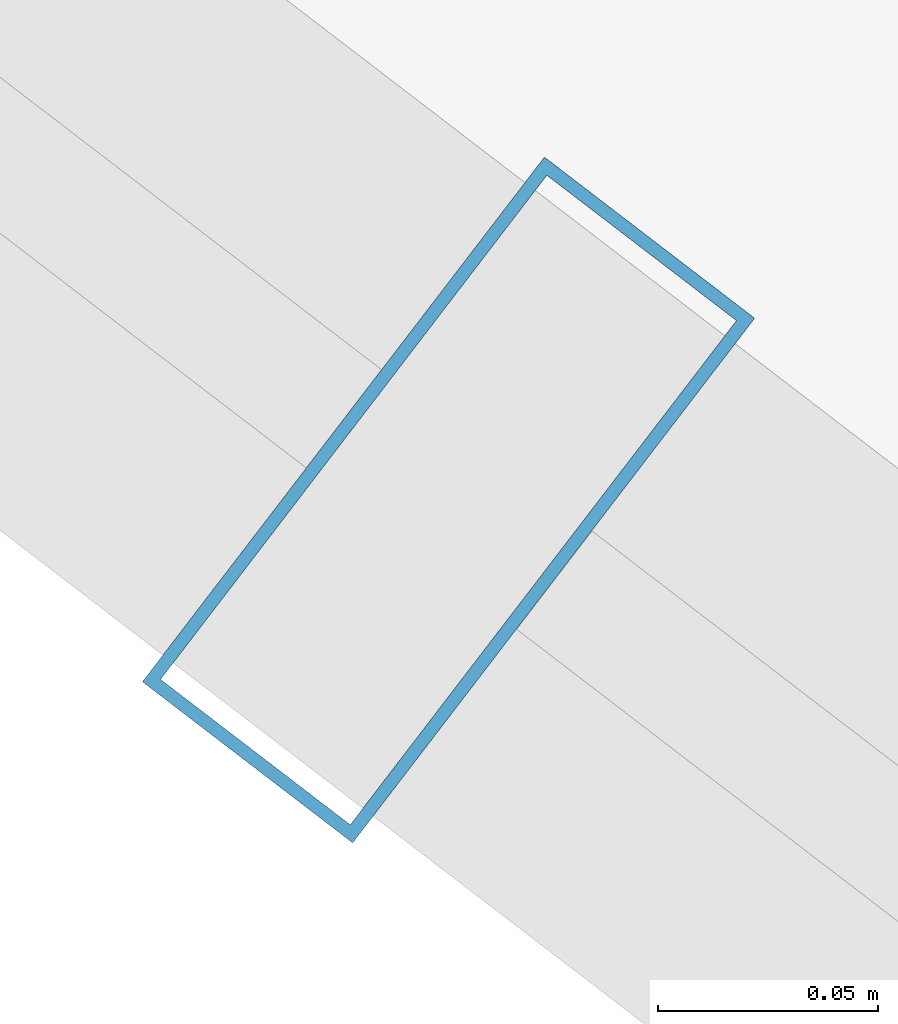
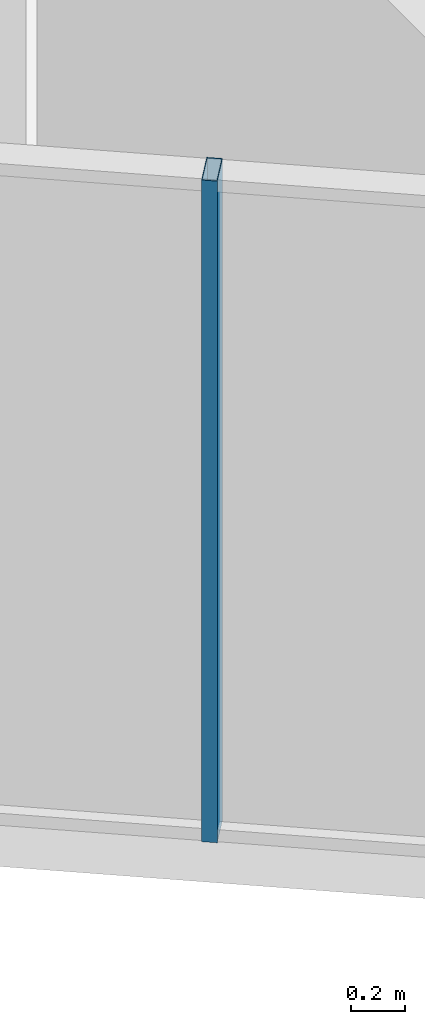
# One storey, part 2 of 31: 1 member, 1 element without a shape of its own.
"""IFC4 building model written with IfcOpenShell, lengths in metres."""

from ifc_helpers import new_model, si_unit, direction, frame, origin, origin_2d, place, context, subcontext, project, spatial, hollow_rectangle, extrude, source, transform, mapped, material, layer, layer_set, material_profile, profile_set, type_object, element, aggregate, save


model = new_model("IFC4")

# Units and contexts
model_context = context("Model", 3, precision=1e-05, world=origin(), true_north=direction((0.0, 1.0)))
body_context = subcontext(model_context, "Body", "Model", "MODEL_VIEW")
ifc_project = project(units=[si_unit("LENGTHUNIT", "METRE"), si_unit("AREAUNIT", "SQUARE_METRE"), si_unit("VOLUMEUNIT", "CUBIC_METRE"), si_unit("PLANEANGLEUNIT", "RADIAN"), si_unit("MASSUNIT", "GRAM", prefix="KILO")], contexts=[model_context])

# Site, building, storey
site_placement = place(None, origin())
site = spatial("IfcSite", under=ifc_project, at=site_placement, CompositionType="ELEMENT")
building_placement = place(site_placement, origin())
building = spatial("IfcBuilding", under=site, at=building_placement, Name="Veraguas Prism Commons", CompositionType="ELEMENT")
storey_placement = place(building_placement, frame((0.0, 0.0, 233.300048828125)))
storey = spatial("IfcBuildingStorey", under=building, at=storey_placement, Name="L66", CompositionType="ELEMENT", Elevation=233.300048828125)

# Curtain wall, member
ifc_material = material(Name="Anodised aluminium EN AW-6063 T6", Category="aluminium")
ifc_layer = layer(ifc_material, 0.14990234375, Name="Unitised Flush Curtain Wall Zone 4", Category="aluminium")
ifc_layer_set = layer_set([ifc_layer], Name="Anodised aluminium EN AW-6063 T6")
curtain_wall_type = type_object("IfcCurtainWallType", Name="Unitised Flush Curtain Wall Zone 4", PredefinedType="NOTDEFINED", material=ifc_layer_set)
curtain_wall_placement = place(storey_placement, origin())
curtain_wall = element("IfcCurtainWall", 1, at=curtain_wall_placement, inside=storey, type_object=curtain_wall_type, Name="Tower Facade Curtain Wall L66-F4", PredefinedType="NOTDEFINED")
ifc_material_profile = material_profile(ifc_material, hollow_rectangle(XDim=0.06005859375, YDim=0.14990234375, WallThickness=0.0029296875, at=origin_2d()), Name="AL60X150X3")
ifc_profile_set = profile_set([ifc_material_profile], Name="Anodised aluminium EN AW-6063 T6")
member_type = type_object("IfcMemberType", Name="Curtain Wall Mullion Upper AL 60x150x3", PredefinedType="MULLION", material=ifc_profile_set)
shared_shape = source(origin(), body_context, "Body", "SweptSolid", [
    extrude(hollow_rectangle(XDim=0.06005859375, YDim=0.14990234375, WallThickness=0.0029296875, at=origin_2d()), origin(), (0.0, 0.0, 1.0), 3.014892578125),
])
member_placement = place(storey_placement, frame((13.9921875, 10.938720703125, 0.0), z_axis=(0.0, 0.0, 1.0), x_axis=(0.793780265613, -0.608204644773, 0.0)))
member = element("IfcMember", 2, at=member_placement, type_object=member_type, Name="CW-Z4 Mullion 3", PredefinedType="MULLION", context=body_context, shape_type="MappedRepresentation", body=[
    mapped(shared_shape, transform((0.0, 0.0, 0.0), scale=1.0)),
])
aggregate(curtain_wall, [member])

save(model, "model.ifc")
